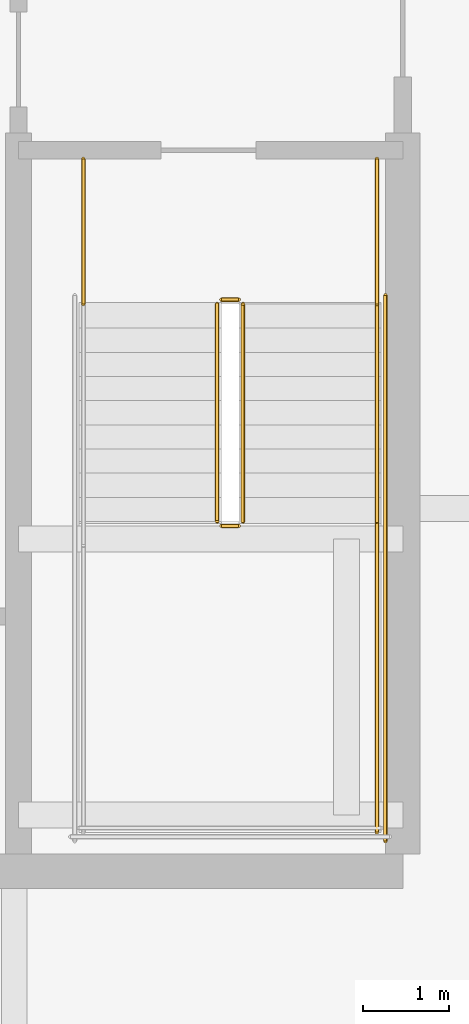
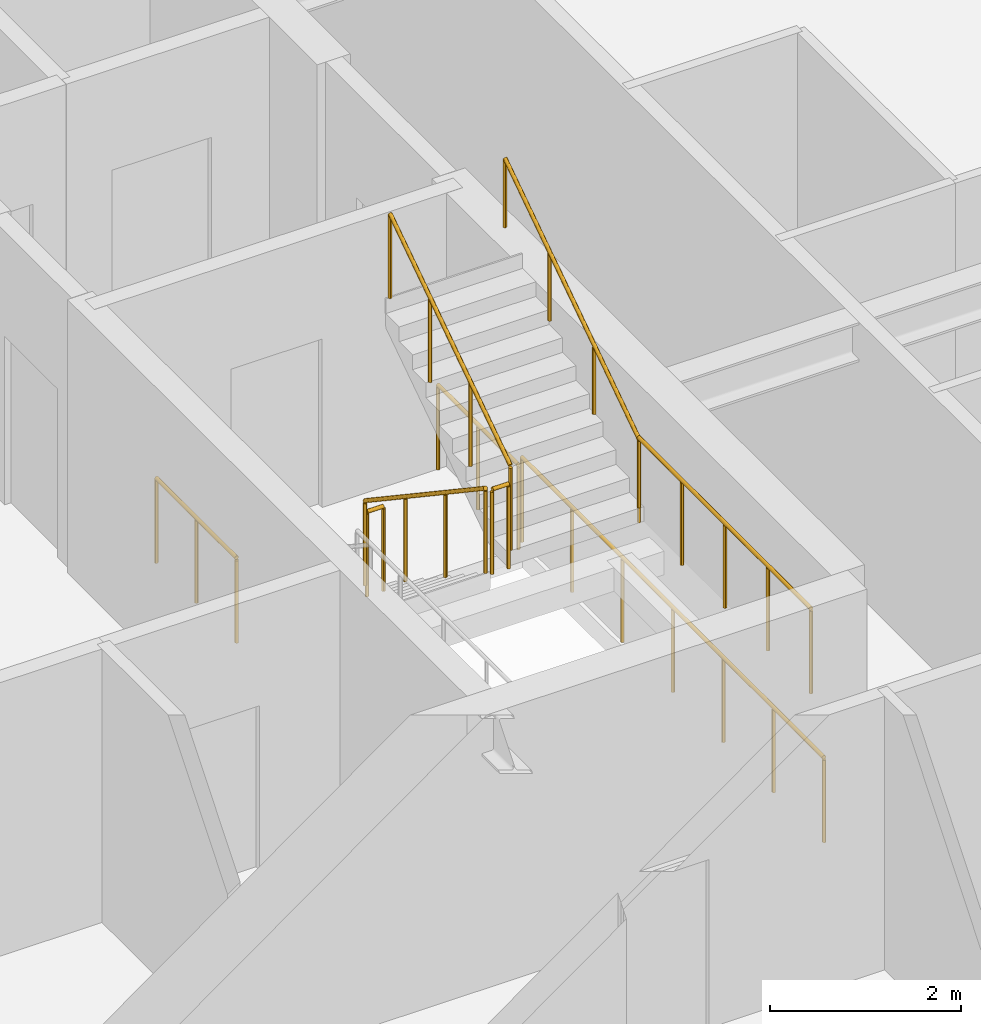
# One storey, part 34 of 35: 9 railings.
"""IFC4 building model written with IfcOpenShell, lengths in metres."""

from ifc_helpers import new_model, si_unit, direction, frame, origin, origin_2d, place, context, subcontext, project, spatial, circle, extrude, material, type_object, element, save


model = new_model("IFC4")

# Units and contexts
model_context = context("Model", 3, precision=1e-05, world=origin(), true_north=direction((0.0, 1.0)))
body_context = subcontext(model_context, "Body", "Model", "MODEL_VIEW")
ifc_project = project(units=[si_unit("LENGTHUNIT", "METRE"), si_unit("AREAUNIT", "SQUARE_METRE"), si_unit("VOLUMEUNIT", "CUBIC_METRE"), si_unit("PLANEANGLEUNIT", "RADIAN"), si_unit("MASSUNIT", "GRAM", prefix="KILO")], contexts=[model_context])

# Site, building, storey
site_placement = place(None, origin())
site = spatial("IfcSite", under=ifc_project, at=site_placement, CompositionType="ELEMENT")
building_placement = place(site_placement, origin())
building = spatial("IfcBuilding", under=site, at=building_placement, Name="Serunith Strait Residences", CompositionType="ELEMENT")
storey_placement = place(building_placement, frame((0.0, 0.0, 172.64990234375)))
storey = spatial("IfcBuildingStorey", under=building, at=storey_placement, Name="L43", CompositionType="ELEMENT", Elevation=172.64990234375)

# Railings
ifc_material = material(Name="Brushed stainless steel 316L", Category="steel")
railing_type_1 = type_object("IfcRailingType", Name="RLG-STAIR-GUARD", PredefinedType="BALUSTRADE", material=ifc_material)
railing_1_placement = place(storey_placement, frame((39.25, 23.3701171875, 0.1875)))
element("IfcRailing", 1, at=railing_1_placement, inside=storey, type_object=railing_type_1, Name="L43 ST-2 stair guard 1", PredefinedType="BALUSTRADE", context=body_context, shape_type="SweptSolid", body=[
    extrude(circle(Radius=0.02392578125, at=origin_2d()), frame((0.0, -0.001708984375, 1.0771484375), z_axis=(0.0, -0.830909170722, 0.55640807867), x_axis=(1.0, 0.0, 0.0)), (0.0, 0.0, 1.0), 3.02880859375),
    extrude(circle(Radius=0.02099609375, at=origin_2d()), origin(), (0.0, 0.0, 1.0), 1.050048828125),
    extrude(circle(Radius=0.02099609375, at=origin_2d()), frame((0.0, -0.840087890625, 0.5625)), (0.0, 0.0, 1.0), 1.050048828125),
    extrude(circle(Radius=0.02099609375, at=origin_2d()), frame((0.0, -1.679931640625, 1.125)), (0.0, 0.0, 1.0), 1.050048828125),
    extrude(circle(Radius=0.02099609375, at=origin_2d()), frame((0.0, -2.52001953125, 1.6875)), (0.0, 0.0, 1.0), 1.050048828125),
])
railing_2_placement = place(storey_placement, frame((39.300048828125, 20.800048828125, 1.875)))
element("IfcRailing", 2, at=railing_2_placement, inside=storey, type_object=railing_type_1, Name="L43 ST-2 stair guard 2", PredefinedType="BALUSTRADE", context=body_context, shape_type="SweptSolid", body=[
    extrude(circle(Radius=0.02392578125, at=origin_2d()), frame((0.001953125, 0.0, 1.076171875), z_axis=(1.0, 0.0, 0.0), x_axis=(0.0, 1.0, 0.0)), (0.0, 0.0, 1.0), 0.196044921875),
    extrude(circle(Radius=0.02099609375, at=origin_2d()), origin(), (0.0, 0.0, 1.0), 1.050048828125),
    extrude(circle(Radius=0.02099609375, at=origin_2d()), frame((0.199951171875, 0.0, 0.0)), (0.0, 0.0, 1.0), 1.050048828125),
])
railing_3_placement = place(storey_placement, frame((41.10009765625, 20.85009765625, 1.875)))
element("IfcRailing", 3, at=railing_3_placement, inside=storey, type_object=railing_type_1, Name="L43 ST-2 stair guard 4", PredefinedType="BALUSTRADE", context=body_context, shape_type="SweptSolid", body=[
    extrude(circle(Radius=0.02392578125, at=origin_2d()), frame((0.0, -0.001953125, 1.076171875), z_axis=(0.0, -1.0, 0.0), x_axis=(1.0, 0.0, 0.0)), (0.0, 0.0, 1.0), 3.59619140625),
    extrude(circle(Radius=0.02099609375, at=origin_2d()), origin(), (0.0, 0.0, 1.0), 1.050048828125),
    extrude(circle(Radius=0.02099609375, at=origin_2d()), frame((0.0, -0.89990234375, 0.0)), (0.0, 0.0, 1.0), 1.050048828125),
    extrude(circle(Radius=0.02099609375, at=origin_2d()), frame((0.0, -1.800048828125, 0.0)), (0.0, 0.0, 1.0), 1.050048828125),
    extrude(circle(Radius=0.02099609375, at=origin_2d()), frame((0.0, -2.7001953125, 0.0)), (0.0, 0.0, 1.0), 1.050048828125),
    extrude(circle(Radius=0.02099609375, at=origin_2d()), frame((0.0, -3.60009765625, 0.0)), (0.0, 0.0, 1.0), 1.050048828125),
])
railing_4_placement = place(storey_placement, frame((39.550048828125, 20.85009765625, 2.0625)))
element("IfcRailing", 4, at=railing_4_placement, inside=storey, type_object=railing_type_1, Name="L43 ST-2 stair guard 6", PredefinedType="BALUSTRADE", context=body_context, shape_type="SweptSolid", body=[
    extrude(circle(Radius=0.02392578125, at=origin_2d()), frame((0.0, 0.001708984375, 1.0771484375), z_axis=(0.0, 0.830909170722, 0.55640807867), x_axis=(-1.0, 0.0, 0.0)), (0.0, 0.0, 1.0), 3.02880859375),
    extrude(circle(Radius=0.02099609375, at=origin_2d()), origin(), (0.0, 0.0, 1.0), 1.050048828125),
    extrude(circle(Radius=0.02099609375, at=origin_2d()), frame((0.0, 0.840087890625, 0.5625)), (0.0, 0.0, 1.0), 1.050048828125),
    extrude(circle(Radius=0.02099609375, at=origin_2d()), frame((0.0, 1.679931640625, 1.125)), (0.0, 0.0, 1.0), 1.050048828125),
    extrude(circle(Radius=0.02099609375, at=origin_2d()), frame((0.0, 2.52001953125, 1.6875)), (0.0, 0.0, 1.0), 1.050048828125),
])
railing_5_placement = place(storey_placement, frame((39.300048828125, 23.419921875, 0.0)))
element("IfcRailing", 5, at=railing_5_placement, inside=storey, type_object=railing_type_1, Name="L43 ST-2 stair guard 7", PredefinedType="BALUSTRADE", context=body_context, shape_type="SweptSolid", body=[
    extrude(circle(Radius=0.02392578125, at=origin_2d()), frame((0.001953125, 0.0, 1.076171875), z_axis=(1.0, 0.0, 0.0), x_axis=(0.0, 1.0, 0.0)), (0.0, 0.0, 1.0), 0.196044921875),
    extrude(circle(Radius=0.02099609375, at=origin_2d()), origin(), (0.0, 0.0, 1.0), 1.050048828125),
    extrude(circle(Radius=0.02099609375, at=origin_2d()), frame((0.199951171875, 0.0, 0.0)), (0.0, 0.0, 1.0), 1.050048828125),
])
for number, where, name in (
    (6, (37.699951171875, 25.050048828125, 0.0), "L43 ST-2 stair guard 8"),
    (7, (41.10009765625, 25.050048828125, 0.0), "L43 ST-2 stair guard 9"),
):
    element("IfcRailing", number, at=place(storey_placement, frame(where)), inside=storey, type_object=railing_type_1, Name=name, PredefinedType="BALUSTRADE", context=body_context, shape_type="SweptSolid", body=[
        extrude(circle(Radius=0.02392578125, at=origin_2d()), frame((0.0, -0.001953125, 1.076171875), z_axis=(0.0, -1.0, 0.0), x_axis=(1.0, 0.0, 0.0)), (0.0, 0.0, 1.0), 1.676025390625),
        extrude(circle(Radius=0.02099609375, at=origin_2d()), origin(), (0.0, 0.0, 1.0), 1.050048828125),
        extrude(circle(Radius=0.02099609375, at=origin_2d()), frame((0.0, -0.83984375, 0.0)), (0.0, 0.0, 1.0), 1.050048828125),
        extrude(circle(Radius=0.02099609375, at=origin_2d()), frame((0.0, -1.679931640625, 0.0)), (0.0, 0.0, 1.0), 1.050048828125),
    ])
railing_6_placement = place(storey_placement, frame((41.199951171875, 23.469970703125, 0.0)))
element("IfcRailing", 8, at=railing_6_placement, inside=storey, type_object=railing_type_1, Name="L43 ST-2 stair guard 11", PredefinedType="BALUSTRADE", context=body_context, shape_type="SweptSolid", body=[
    extrude(circle(Radius=0.02392578125, at=origin_2d()), frame((0.0, -0.001953125, 1.076171875), z_axis=(0.0, -1.0, 0.0), x_axis=(1.0, 0.0, 0.0)), (0.0, 0.0, 1.0), 6.316162109375),
    extrude(circle(Radius=0.02099609375, at=origin_2d()), origin(), (0.0, 0.0, 1.0), 1.050048828125),
    extrude(circle(Radius=0.02099609375, at=origin_2d()), frame((0.0, -1.05322265625, 0.0)), (0.0, 0.0, 1.0), 1.050048828125),
    extrude(circle(Radius=0.02099609375, at=origin_2d()), frame((0.0, -2.106689453125, 0.0)), (0.0, 0.0, 1.0), 1.050048828125),
    extrude(circle(Radius=0.02099609375, at=origin_2d()), frame((0.0, -3.16015625, 0.0)), (0.0, 0.0, 1.0), 1.050048828125),
    extrude(circle(Radius=0.02099609375, at=origin_2d()), frame((0.0, -4.21337890625, 0.0)), (0.0, 0.0, 1.0), 1.050048828125),
    extrude(circle(Radius=0.02099609375, at=origin_2d()), frame((0.0, -5.2666015625, 0.0)), (0.0, 0.0, 1.0), 1.050048828125),
    extrude(circle(Radius=0.02099609375, at=origin_2d()), frame((0.0, -6.320068359375, 0.0)), (0.0, 0.0, 1.0), 1.050048828125),
])
railing_type_2 = type_object("IfcRailingType", Name="RLG-STAIR-HR", PredefinedType="HANDRAIL", material=ifc_material)
railing_7_placement = place(storey_placement, frame((41.10009765625, 20.85009765625, 2.0625)))
element("IfcRailing", 9, at=railing_7_placement, inside=storey, type_object=railing_type_2, Name="L43 ST-2 stair handrail 2", PredefinedType="HANDRAIL", context=body_context, shape_type="SweptSolid", body=[
    extrude(circle(Radius=0.02392578125, at=origin_2d()), frame((0.0, 0.001708984375, 0.876953125), z_axis=(0.0, 0.830185712471, 0.557486935101), x_axis=(-1.0, 0.0, 0.0)), (0.0, 0.0, 1.0), 3.368408203125),
    extrude(circle(Radius=0.02099609375, at=origin_2d()), origin(), (0.0, 0.0, 1.0), 0.849853515625),
    extrude(circle(Radius=0.02099609375, at=origin_2d()), frame((0.0, 0.933349609375, 0.626708984375)), (0.0, 0.0, 1.0), 0.849853515625),
    extrude(circle(Radius=0.02099609375, at=origin_2d()), frame((0.0, 1.866455078125, 1.25341796875)), (0.0, 0.0, 1.0), 0.849853515625),
    extrude(circle(Radius=0.02099609375, at=origin_2d()), frame((0.0, 2.7998046875, 1.880126953125)), (0.0, 0.0, 1.0), 0.849853515625),
])

save(model, "model.ifc")
